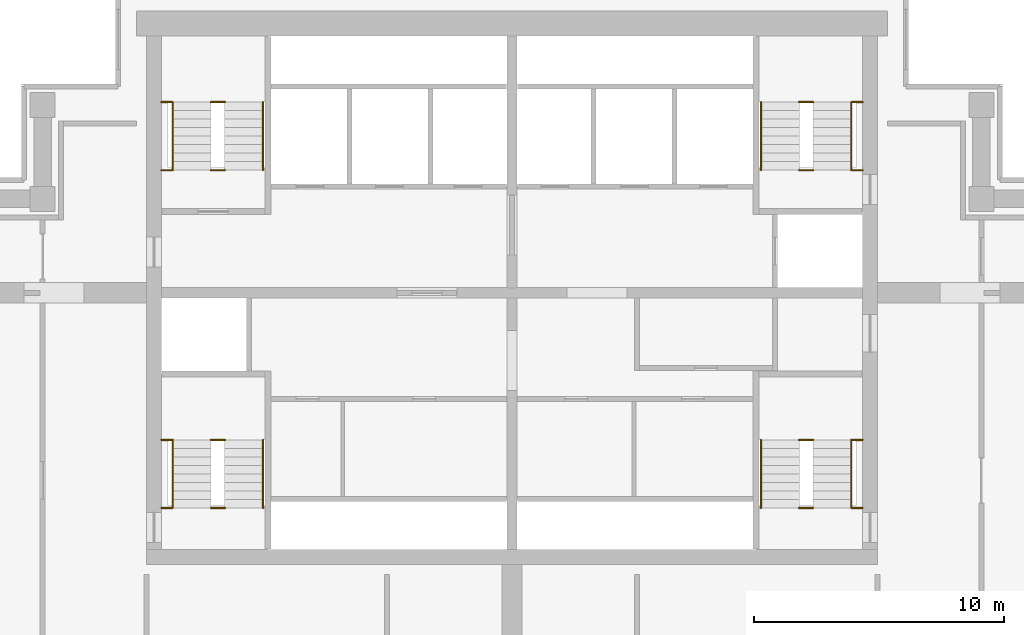
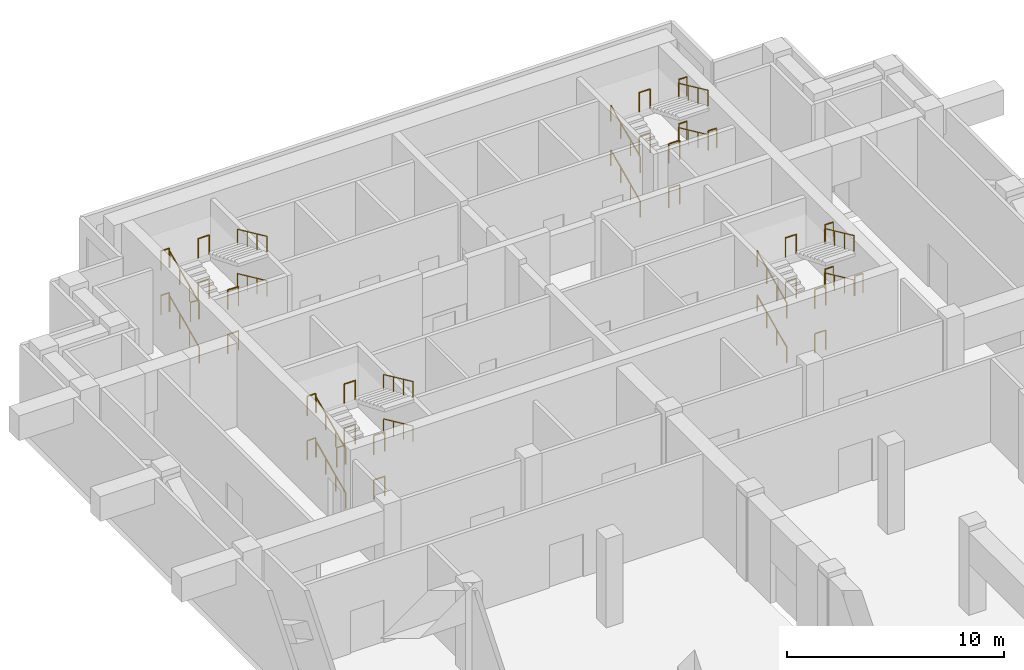
# One storey, part 6 of 6: 44 railings.
"""IFC4 building model written with IfcOpenShell, lengths in metres."""

from ifc_helpers import new_model, si_unit, direction, frame, origin, origin_2d, place, context, subcontext, project, spatial, circle, extrude, material, type_object, element, save


model = new_model("IFC4")

# Units and contexts
model_context = context("Model", 3, precision=1e-05, world=origin(), true_north=direction((0.0, 1.0)))
body_context = subcontext(model_context, "Body", "Model", "MODEL_VIEW")
ifc_project = project(units=[si_unit("LENGTHUNIT", "METRE"), si_unit("AREAUNIT", "SQUARE_METRE"), si_unit("VOLUMEUNIT", "CUBIC_METRE"), si_unit("PLANEANGLEUNIT", "RADIAN"), si_unit("MASSUNIT", "GRAM", prefix="KILO")], contexts=[model_context])

# Site, building, storey
site_placement = place(None, origin())
site = spatial("IfcSite", under=ifc_project, at=site_placement, CompositionType="ELEMENT")
building_placement = place(site_placement, origin())
building = spatial("IfcBuilding", under=site, at=building_placement, Name="Pilkhan Gate Tower", CompositionType="ELEMENT")
storey_placement = place(building_placement, frame((0.0, 0.0, 183.699951171875)))
storey = spatial("IfcBuildingStorey", under=building, at=storey_placement, Name="L47", CompositionType="ELEMENT", Elevation=183.699951171875)

# Railings
ifc_material_1 = material(Name="Black powder-coated steel tube", Category="steel")
railing_type_1 = type_object("IfcRailingType", Name="Stair handrail HR1", PredefinedType="HANDRAIL", material=ifc_material_1)
railing_1_placement = place(storey_placement, frame((84.949951171875, 73.89990234375, 0.0)))
element("IfcRailing", 1, at=railing_1_placement, inside=storey, type_object=railing_type_1, Name="Stair ST1 handrail L47", PredefinedType="HANDRAIL", context=body_context, shape_type="SweptSolid", body=[
    extrude(circle(Radius=0.02392578125, at=origin_2d()), frame((0.0, 0.0, 0.8759765625), z_axis=(0.0, 0.908655102025, 0.417547488994), x_axis=(-1.0, 0.0, 0.0)), (0.0, 0.0, 1.0), 2.99365234375),
    extrude(circle(Radius=0.02099609375, at=origin_2d()), origin(), (0.0, 0.0, 1.0), 0.851806640625),
    extrude(circle(Radius=0.02099609375, at=origin_2d()), frame((0.0, 0.90673828125, 0.416748046875)), (0.0, 0.0, 1.0), 0.851806640625),
    extrude(circle(Radius=0.02099609375, at=origin_2d()), frame((0.0, 1.8134765625, 0.833251953125)), (0.0, 0.0, 1.0), 0.851806640625),
    extrude(circle(Radius=0.02099609375, at=origin_2d()), frame((0.0, 2.72021484375, 1.25)), (0.0, 0.0, 1.0), 0.851806640625),
])
railing_2_placement = place(storey_placement, frame((88.550048828125, 76.6201171875, 1.25)))
element("IfcRailing", 2, at=railing_2_placement, inside=storey, type_object=railing_type_1, Name="Stair ST1 handrail L47", PredefinedType="HANDRAIL", context=body_context, shape_type="SweptSolid", body=[
    extrude(circle(Radius=0.02392578125, at=origin_2d()), frame((0.0, 0.0, 0.8759765625), z_axis=(0.0, -0.908655102025, 0.417547488994), x_axis=(1.0, 0.0, 0.0)), (0.0, 0.0, 1.0), 2.99365234375),
    extrude(circle(Radius=0.02099609375, at=origin_2d()), origin(), (0.0, 0.0, 1.0), 0.851806640625),
    extrude(circle(Radius=0.02099609375, at=origin_2d()), frame((0.0, -0.90673828125, 0.416748046875)), (0.0, 0.0, 1.0), 0.851806640625),
    extrude(circle(Radius=0.02099609375, at=origin_2d()), frame((0.0, -1.8134765625, 0.833251953125)), (0.0, 0.0, 1.0), 0.851806640625),
    extrude(circle(Radius=0.02099609375, at=origin_2d()), frame((0.0, -2.72021484375, 1.25)), (0.0, 0.0, 1.0), 0.851806640625),
])
railing_3_placement = place(storey_placement, frame((84.949951171875, 73.89990234375, 2.5)))
element("IfcRailing", 3, at=railing_3_placement, inside=storey, type_object=railing_type_1, Name="Stair ST1 handrail L47", PredefinedType="HANDRAIL", context=body_context, shape_type="SweptSolid", body=[
    extrude(circle(Radius=0.02392578125, at=origin_2d()), frame((0.0, 0.0, 0.8759765625), z_axis=(0.0, 0.908655102025, 0.417547488994), x_axis=(-1.0, 0.0, 0.0)), (0.0, 0.0, 1.0), 2.99365234375),
    extrude(circle(Radius=0.02099609375, at=origin_2d()), origin(), (0.0, 0.0, 1.0), 0.851806640625),
    extrude(circle(Radius=0.02099609375, at=origin_2d()), frame((0.0, 0.90673828125, 0.416748046875)), (0.0, 0.0, 1.0), 0.851806640625),
    extrude(circle(Radius=0.02099609375, at=origin_2d()), frame((0.0, 1.8134765625, 0.833251953125)), (0.0, 0.0, 1.0), 0.851806640625),
    extrude(circle(Radius=0.02099609375, at=origin_2d()), frame((0.0, 2.72021484375, 1.25)), (0.0, 0.0, 1.0), 0.851806640625),
])
railing_4_placement = place(storey_placement, frame((88.550048828125, 76.6201171875, 3.75)))
element("IfcRailing", 4, at=railing_4_placement, inside=storey, type_object=railing_type_1, Name="Stair ST1 handrail L47", PredefinedType="HANDRAIL", context=body_context, shape_type="SweptSolid", body=[
    extrude(circle(Radius=0.02392578125, at=origin_2d()), frame((0.0, 0.0, 0.8759765625), z_axis=(0.0, -0.908655102025, 0.417547488994), x_axis=(1.0, 0.0, 0.0)), (0.0, 0.0, 1.0), 2.99365234375),
    extrude(circle(Radius=0.02099609375, at=origin_2d()), origin(), (0.0, 0.0, 1.0), 0.851806640625),
    extrude(circle(Radius=0.02099609375, at=origin_2d()), frame((0.0, -0.90673828125, 0.416748046875)), (0.0, 0.0, 1.0), 0.851806640625),
    extrude(circle(Radius=0.02099609375, at=origin_2d()), frame((0.0, -1.8134765625, 0.833251953125)), (0.0, 0.0, 1.0), 0.851806640625),
    extrude(circle(Radius=0.02099609375, at=origin_2d()), frame((0.0, -2.72021484375, 1.25)), (0.0, 0.0, 1.0), 0.851806640625),
])
railing_5_placement = place(storey_placement, frame((61.449951171875, 73.89990234375, 0.0)))
element("IfcRailing", 5, at=railing_5_placement, inside=storey, type_object=railing_type_1, Name="Stair ST2 handrail L47", PredefinedType="HANDRAIL", context=body_context, shape_type="SweptSolid", body=[
    extrude(circle(Radius=0.02392578125, at=origin_2d()), frame((0.0, 0.0, 0.8759765625), z_axis=(0.0, 0.908655102025, 0.417547488994), x_axis=(-1.0, 0.0, 0.0)), (0.0, 0.0, 1.0), 2.99365234375),
    extrude(circle(Radius=0.02099609375, at=origin_2d()), origin(), (0.0, 0.0, 1.0), 0.851806640625),
    extrude(circle(Radius=0.02099609375, at=origin_2d()), frame((0.0, 0.90673828125, 0.416748046875)), (0.0, 0.0, 1.0), 0.851806640625),
    extrude(circle(Radius=0.02099609375, at=origin_2d()), frame((0.0, 1.8134765625, 0.833251953125)), (0.0, 0.0, 1.0), 0.851806640625),
    extrude(circle(Radius=0.02099609375, at=origin_2d()), frame((0.0, 2.72021484375, 1.25)), (0.0, 0.0, 1.0), 0.851806640625),
])
railing_6_placement = place(storey_placement, frame((65.050048828125, 76.6201171875, 1.25)))
element("IfcRailing", 6, at=railing_6_placement, inside=storey, type_object=railing_type_1, Name="Stair ST2 handrail L47", PredefinedType="HANDRAIL", context=body_context, shape_type="SweptSolid", body=[
    extrude(circle(Radius=0.02392578125, at=origin_2d()), frame((0.0, 0.0, 0.8759765625), z_axis=(0.0, -0.908655102025, 0.417547488994), x_axis=(1.0, 0.0, 0.0)), (0.0, 0.0, 1.0), 2.99365234375),
    extrude(circle(Radius=0.02099609375, at=origin_2d()), origin(), (0.0, 0.0, 1.0), 0.851806640625),
    extrude(circle(Radius=0.02099609375, at=origin_2d()), frame((0.0, -0.90673828125, 0.416748046875)), (0.0, 0.0, 1.0), 0.851806640625),
    extrude(circle(Radius=0.02099609375, at=origin_2d()), frame((0.0, -1.8134765625, 0.833251953125)), (0.0, 0.0, 1.0), 0.851806640625),
    extrude(circle(Radius=0.02099609375, at=origin_2d()), frame((0.0, -2.72021484375, 1.25)), (0.0, 0.0, 1.0), 0.851806640625),
])
railing_7_placement = place(storey_placement, frame((61.449951171875, 73.89990234375, 2.5)))
element("IfcRailing", 7, at=railing_7_placement, inside=storey, type_object=railing_type_1, Name="Stair ST2 handrail L47", PredefinedType="HANDRAIL", context=body_context, shape_type="SweptSolid", body=[
    extrude(circle(Radius=0.02392578125, at=origin_2d()), frame((0.0, 0.0, 0.8759765625), z_axis=(0.0, 0.908655102025, 0.417547488994), x_axis=(-1.0, 0.0, 0.0)), (0.0, 0.0, 1.0), 2.99365234375),
    extrude(circle(Radius=0.02099609375, at=origin_2d()), origin(), (0.0, 0.0, 1.0), 0.851806640625),
    extrude(circle(Radius=0.02099609375, at=origin_2d()), frame((0.0, 0.90673828125, 0.416748046875)), (0.0, 0.0, 1.0), 0.851806640625),
    extrude(circle(Radius=0.02099609375, at=origin_2d()), frame((0.0, 1.8134765625, 0.833251953125)), (0.0, 0.0, 1.0), 0.851806640625),
    extrude(circle(Radius=0.02099609375, at=origin_2d()), frame((0.0, 2.72021484375, 1.25)), (0.0, 0.0, 1.0), 0.851806640625),
])
railing_8_placement = place(storey_placement, frame((65.050048828125, 76.6201171875, 3.75)))
element("IfcRailing", 8, at=railing_8_placement, inside=storey, type_object=railing_type_1, Name="Stair ST2 handrail L47", PredefinedType="HANDRAIL", context=body_context, shape_type="SweptSolid", body=[
    extrude(circle(Radius=0.02392578125, at=origin_2d()), frame((0.0, 0.0, 0.8759765625), z_axis=(0.0, -0.908655102025, 0.417547488994), x_axis=(1.0, 0.0, 0.0)), (0.0, 0.0, 1.0), 2.99365234375),
    extrude(circle(Radius=0.02099609375, at=origin_2d()), origin(), (0.0, 0.0, 1.0), 0.851806640625),
    extrude(circle(Radius=0.02099609375, at=origin_2d()), frame((0.0, -0.90673828125, 0.416748046875)), (0.0, 0.0, 1.0), 0.851806640625),
    extrude(circle(Radius=0.02099609375, at=origin_2d()), frame((0.0, -1.8134765625, 0.833251953125)), (0.0, 0.0, 1.0), 0.851806640625),
    extrude(circle(Radius=0.02099609375, at=origin_2d()), frame((0.0, -2.72021484375, 1.25)), (0.0, 0.0, 1.0), 0.851806640625),
])
railing_9_placement = place(storey_placement, frame((61.449951171875, 87.39990234375, 0.0)))
element("IfcRailing", 9, at=railing_9_placement, inside=storey, type_object=railing_type_1, Name="Stair ST3 handrail L47", PredefinedType="HANDRAIL", context=body_context, shape_type="SweptSolid", body=[
    extrude(circle(Radius=0.02392578125, at=origin_2d()), frame((0.0, 0.0, 0.8759765625), z_axis=(0.0, 0.908655102025, 0.417547488994), x_axis=(-1.0, 0.0, 0.0)), (0.0, 0.0, 1.0), 2.99365234375),
    extrude(circle(Radius=0.02099609375, at=origin_2d()), origin(), (0.0, 0.0, 1.0), 0.851806640625),
    extrude(circle(Radius=0.02099609375, at=origin_2d()), frame((0.0, 0.90673828125, 0.416748046875)), (0.0, 0.0, 1.0), 0.851806640625),
    extrude(circle(Radius=0.02099609375, at=origin_2d()), frame((0.0, 1.8134765625, 0.833251953125)), (0.0, 0.0, 1.0), 0.851806640625),
    extrude(circle(Radius=0.02099609375, at=origin_2d()), frame((0.0, 2.72021484375, 1.25)), (0.0, 0.0, 1.0), 0.851806640625),
])
railing_10_placement = place(storey_placement, frame((65.050048828125, 90.1201171875, 1.25)))
element("IfcRailing", 10, at=railing_10_placement, inside=storey, type_object=railing_type_1, Name="Stair ST3 handrail L47", PredefinedType="HANDRAIL", context=body_context, shape_type="SweptSolid", body=[
    extrude(circle(Radius=0.02392578125, at=origin_2d()), frame((0.0, 0.0, 0.8759765625), z_axis=(0.0, -0.908655102025, 0.417547488994), x_axis=(1.0, 0.0, 0.0)), (0.0, 0.0, 1.0), 2.99365234375),
    extrude(circle(Radius=0.02099609375, at=origin_2d()), origin(), (0.0, 0.0, 1.0), 0.851806640625),
    extrude(circle(Radius=0.02099609375, at=origin_2d()), frame((0.0, -0.90673828125, 0.416748046875)), (0.0, 0.0, 1.0), 0.851806640625),
    extrude(circle(Radius=0.02099609375, at=origin_2d()), frame((0.0, -1.8134765625, 0.833251953125)), (0.0, 0.0, 1.0), 0.851806640625),
    extrude(circle(Radius=0.02099609375, at=origin_2d()), frame((0.0, -2.72021484375, 1.25)), (0.0, 0.0, 1.0), 0.851806640625),
])
railing_11_placement = place(storey_placement, frame((61.449951171875, 87.39990234375, 2.5)))
element("IfcRailing", 11, at=railing_11_placement, inside=storey, type_object=railing_type_1, Name="Stair ST3 handrail L47", PredefinedType="HANDRAIL", context=body_context, shape_type="SweptSolid", body=[
    extrude(circle(Radius=0.02392578125, at=origin_2d()), frame((0.0, 0.0, 0.8759765625), z_axis=(0.0, 0.908655102025, 0.417547488994), x_axis=(-1.0, 0.0, 0.0)), (0.0, 0.0, 1.0), 2.99365234375),
    extrude(circle(Radius=0.02099609375, at=origin_2d()), origin(), (0.0, 0.0, 1.0), 0.851806640625),
    extrude(circle(Radius=0.02099609375, at=origin_2d()), frame((0.0, 0.90673828125, 0.416748046875)), (0.0, 0.0, 1.0), 0.851806640625),
    extrude(circle(Radius=0.02099609375, at=origin_2d()), frame((0.0, 1.8134765625, 0.833251953125)), (0.0, 0.0, 1.0), 0.851806640625),
    extrude(circle(Radius=0.02099609375, at=origin_2d()), frame((0.0, 2.72021484375, 1.25)), (0.0, 0.0, 1.0), 0.851806640625),
])
railing_12_placement = place(storey_placement, frame((65.050048828125, 90.1201171875, 3.75)))
element("IfcRailing", 12, at=railing_12_placement, inside=storey, type_object=railing_type_1, Name="Stair ST3 handrail L47", PredefinedType="HANDRAIL", context=body_context, shape_type="SweptSolid", body=[
    extrude(circle(Radius=0.02392578125, at=origin_2d()), frame((0.0, 0.0, 0.8759765625), z_axis=(0.0, -0.908655102025, 0.417547488994), x_axis=(1.0, 0.0, 0.0)), (0.0, 0.0, 1.0), 2.99365234375),
    extrude(circle(Radius=0.02099609375, at=origin_2d()), origin(), (0.0, 0.0, 1.0), 0.851806640625),
    extrude(circle(Radius=0.02099609375, at=origin_2d()), frame((0.0, -0.90673828125, 0.416748046875)), (0.0, 0.0, 1.0), 0.851806640625),
    extrude(circle(Radius=0.02099609375, at=origin_2d()), frame((0.0, -1.8134765625, 0.833251953125)), (0.0, 0.0, 1.0), 0.851806640625),
    extrude(circle(Radius=0.02099609375, at=origin_2d()), frame((0.0, -2.72021484375, 1.25)), (0.0, 0.0, 1.0), 0.851806640625),
])
railing_13_placement = place(storey_placement, frame((84.949951171875, 87.39990234375, 0.0)))
element("IfcRailing", 13, at=railing_13_placement, inside=storey, type_object=railing_type_1, Name="Stair ST4 handrail L47", PredefinedType="HANDRAIL", context=body_context, shape_type="SweptSolid", body=[
    extrude(circle(Radius=0.02392578125, at=origin_2d()), frame((0.0, 0.0, 0.8759765625), z_axis=(0.0, 0.908655102025, 0.417547488994), x_axis=(-1.0, 0.0, 0.0)), (0.0, 0.0, 1.0), 2.99365234375),
    extrude(circle(Radius=0.02099609375, at=origin_2d()), origin(), (0.0, 0.0, 1.0), 0.851806640625),
    extrude(circle(Radius=0.02099609375, at=origin_2d()), frame((0.0, 0.90673828125, 0.416748046875)), (0.0, 0.0, 1.0), 0.851806640625),
    extrude(circle(Radius=0.02099609375, at=origin_2d()), frame((0.0, 1.8134765625, 0.833251953125)), (0.0, 0.0, 1.0), 0.851806640625),
    extrude(circle(Radius=0.02099609375, at=origin_2d()), frame((0.0, 2.72021484375, 1.25)), (0.0, 0.0, 1.0), 0.851806640625),
])
railing_14_placement = place(storey_placement, frame((88.550048828125, 90.1201171875, 1.25)))
element("IfcRailing", 14, at=railing_14_placement, inside=storey, type_object=railing_type_1, Name="Stair ST4 handrail L47", PredefinedType="HANDRAIL", context=body_context, shape_type="SweptSolid", body=[
    extrude(circle(Radius=0.02392578125, at=origin_2d()), frame((0.0, 0.0, 0.8759765625), z_axis=(0.0, -0.908655102025, 0.417547488994), x_axis=(1.0, 0.0, 0.0)), (0.0, 0.0, 1.0), 2.99365234375),
    extrude(circle(Radius=0.02099609375, at=origin_2d()), origin(), (0.0, 0.0, 1.0), 0.851806640625),
    extrude(circle(Radius=0.02099609375, at=origin_2d()), frame((0.0, -0.90673828125, 0.416748046875)), (0.0, 0.0, 1.0), 0.851806640625),
    extrude(circle(Radius=0.02099609375, at=origin_2d()), frame((0.0, -1.8134765625, 0.833251953125)), (0.0, 0.0, 1.0), 0.851806640625),
    extrude(circle(Radius=0.02099609375, at=origin_2d()), frame((0.0, -2.72021484375, 1.25)), (0.0, 0.0, 1.0), 0.851806640625),
])
railing_15_placement = place(storey_placement, frame((84.949951171875, 87.39990234375, 2.5)))
element("IfcRailing", 15, at=railing_15_placement, inside=storey, type_object=railing_type_1, Name="Stair ST4 handrail L47", PredefinedType="HANDRAIL", context=body_context, shape_type="SweptSolid", body=[
    extrude(circle(Radius=0.02392578125, at=origin_2d()), frame((0.0, 0.0, 0.8759765625), z_axis=(0.0, 0.908655102025, 0.417547488994), x_axis=(-1.0, 0.0, 0.0)), (0.0, 0.0, 1.0), 2.99365234375),
    extrude(circle(Radius=0.02099609375, at=origin_2d()), origin(), (0.0, 0.0, 1.0), 0.851806640625),
    extrude(circle(Radius=0.02099609375, at=origin_2d()), frame((0.0, 0.90673828125, 0.416748046875)), (0.0, 0.0, 1.0), 0.851806640625),
    extrude(circle(Radius=0.02099609375, at=origin_2d()), frame((0.0, 1.8134765625, 0.833251953125)), (0.0, 0.0, 1.0), 0.851806640625),
    extrude(circle(Radius=0.02099609375, at=origin_2d()), frame((0.0, 2.72021484375, 1.25)), (0.0, 0.0, 1.0), 0.851806640625),
])
railing_16_placement = place(storey_placement, frame((88.550048828125, 90.1201171875, 3.75)))
element("IfcRailing", 16, at=railing_16_placement, inside=storey, type_object=railing_type_1, Name="Stair ST4 handrail L47", PredefinedType="HANDRAIL", context=body_context, shape_type="SweptSolid", body=[
    extrude(circle(Radius=0.02392578125, at=origin_2d()), frame((0.0, 0.0, 0.8759765625), z_axis=(0.0, -0.908655102025, 0.417547488994), x_axis=(1.0, 0.0, 0.0)), (0.0, 0.0, 1.0), 2.99365234375),
    extrude(circle(Radius=0.02099609375, at=origin_2d()), origin(), (0.0, 0.0, 1.0), 0.851806640625),
    extrude(circle(Radius=0.02099609375, at=origin_2d()), frame((0.0, -0.90673828125, 0.416748046875)), (0.0, 0.0, 1.0), 0.851806640625),
    extrude(circle(Radius=0.02099609375, at=origin_2d()), frame((0.0, -1.8134765625, 0.833251953125)), (0.0, 0.0, 1.0), 0.851806640625),
    extrude(circle(Radius=0.02099609375, at=origin_2d()), frame((0.0, -2.72021484375, 1.25)), (0.0, 0.0, 1.0), 0.851806640625),
])
ifc_material_2 = material(Name="Black powder-coated steel balusters", Category="steel")
railing_type_2 = type_object("IfcRailingType", Name="Stair well guard G3", PredefinedType="GUARDRAIL", material=ifc_material_2)
for number, where, name in (
    (17, (88.580078125, 76.6201171875, 1.25), "Stair ST1 well guard L47"),
    (18, (88.580078125, 73.89990234375, 2.5), "Stair ST1 well guard L47"),
    (19, (88.580078125, 76.6201171875, 3.75), "Stair ST1 well guard L47"),
):
    element("IfcRailing", number, at=place(storey_placement, frame(where)), inside=storey, type_object=railing_type_2, Name=name, PredefinedType="GUARDRAIL", context=body_context, shape_type="SweptSolid", body=[
        extrude(circle(Radius=0.02392578125, at=origin_2d()), frame((0.0, 0.0, 1.076171875), z_axis=(1.0, 0.0, 0.0), x_axis=(0.0, 1.0, 0.0)), (0.0, 0.0, 1.0), 0.43994140625),
        extrude(circle(Radius=0.02099609375, at=origin_2d()), origin(), (0.0, 0.0, 1.0), 1.052001953125),
        extrude(circle(Radius=0.02099609375, at=origin_2d()), frame((0.43994140625, 0.0, 0.0)), (0.0, 0.0, 1.0), 1.052001953125),
    ])
for number, where, name in (
    (20, (86.4599609375, 73.89990234375, 0.0), "Stair ST1 well guard L47"),
    (21, (86.4599609375, 76.6201171875, 1.25), "Stair ST1 well guard L47"),
    (22, (86.4599609375, 73.89990234375, 2.5), "Stair ST1 well guard L47"),
    (23, (86.4599609375, 76.6201171875, 3.75), "Stair ST1 well guard L47"),
):
    element("IfcRailing", number, at=place(storey_placement, frame(where)), inside=storey, type_object=railing_type_2, Name=name, PredefinedType="GUARDRAIL", context=body_context, shape_type="SweptSolid", body=[
        extrude(circle(Radius=0.02392578125, at=origin_2d()), frame((0.0, 0.0, 1.076171875), z_axis=(1.0, 0.0, 0.0), x_axis=(0.0, 1.0, 0.0)), (0.0, 0.0, 1.0), 0.580078125),
        extrude(circle(Radius=0.02099609375, at=origin_2d()), origin(), (0.0, 0.0, 1.0), 1.052001953125),
        extrude(circle(Radius=0.02099609375, at=origin_2d()), frame((0.580078125, 0.0, 0.0)), (0.0, 0.0, 1.0), 1.052001953125),
    ])
for number, where, name in (
    (24, (60.97998046875, 76.6201171875, 1.25), "Stair ST2 well guard L47"),
    (25, (60.97998046875, 73.89990234375, 2.5), "Stair ST2 well guard L47"),
    (26, (60.97998046875, 76.6201171875, 3.75), "Stair ST2 well guard L47"),
):
    element("IfcRailing", number, at=place(storey_placement, frame(where)), inside=storey, type_object=railing_type_2, Name=name, PredefinedType="GUARDRAIL", context=body_context, shape_type="SweptSolid", body=[
        extrude(circle(Radius=0.02392578125, at=origin_2d()), frame((0.0, 0.0, 1.076171875), z_axis=(1.0, 0.0, 0.0), x_axis=(0.0, 1.0, 0.0)), (0.0, 0.0, 1.0), 0.43994140625),
        extrude(circle(Radius=0.02099609375, at=origin_2d()), origin(), (0.0, 0.0, 1.0), 1.052001953125),
        extrude(circle(Radius=0.02099609375, at=origin_2d()), frame((0.43994140625, 0.0, 0.0)), (0.0, 0.0, 1.0), 1.052001953125),
    ])
for number, where, name in (
    (27, (62.9599609375, 73.89990234375, 0.0), "Stair ST2 well guard L47"),
    (28, (62.9599609375, 76.6201171875, 1.25), "Stair ST2 well guard L47"),
    (29, (62.9599609375, 73.89990234375, 2.5), "Stair ST2 well guard L47"),
    (30, (62.9599609375, 76.6201171875, 3.75), "Stair ST2 well guard L47"),
):
    element("IfcRailing", number, at=place(storey_placement, frame(where)), inside=storey, type_object=railing_type_2, Name=name, PredefinedType="GUARDRAIL", context=body_context, shape_type="SweptSolid", body=[
        extrude(circle(Radius=0.02392578125, at=origin_2d()), frame((0.0, 0.0, 1.076171875), z_axis=(1.0, 0.0, 0.0), x_axis=(0.0, 1.0, 0.0)), (0.0, 0.0, 1.0), 0.580078125),
        extrude(circle(Radius=0.02099609375, at=origin_2d()), origin(), (0.0, 0.0, 1.0), 1.052001953125),
        extrude(circle(Radius=0.02099609375, at=origin_2d()), frame((0.580078125, 0.0, 0.0)), (0.0, 0.0, 1.0), 1.052001953125),
    ])
for number, where, name in (
    (31, (60.97998046875, 90.1201171875, 1.25), "Stair ST3 well guard L47"),
    (32, (60.97998046875, 87.39990234375, 2.5), "Stair ST3 well guard L47"),
    (33, (60.97998046875, 90.1201171875, 3.75), "Stair ST3 well guard L47"),
):
    element("IfcRailing", number, at=place(storey_placement, frame(where)), inside=storey, type_object=railing_type_2, Name=name, PredefinedType="GUARDRAIL", context=body_context, shape_type="SweptSolid", body=[
        extrude(circle(Radius=0.02392578125, at=origin_2d()), frame((0.0, 0.0, 1.076171875), z_axis=(1.0, 0.0, 0.0), x_axis=(0.0, 1.0, 0.0)), (0.0, 0.0, 1.0), 0.43994140625),
        extrude(circle(Radius=0.02099609375, at=origin_2d()), origin(), (0.0, 0.0, 1.0), 1.052001953125),
        extrude(circle(Radius=0.02099609375, at=origin_2d()), frame((0.43994140625, 0.0, 0.0)), (0.0, 0.0, 1.0), 1.052001953125),
    ])
for number, where, name in (
    (34, (62.9599609375, 87.39990234375, 0.0), "Stair ST3 well guard L47"),
    (35, (62.9599609375, 90.1201171875, 1.25), "Stair ST3 well guard L47"),
    (36, (62.9599609375, 87.39990234375, 2.5), "Stair ST3 well guard L47"),
    (37, (62.9599609375, 90.1201171875, 3.75), "Stair ST3 well guard L47"),
):
    element("IfcRailing", number, at=place(storey_placement, frame(where)), inside=storey, type_object=railing_type_2, Name=name, PredefinedType="GUARDRAIL", context=body_context, shape_type="SweptSolid", body=[
        extrude(circle(Radius=0.02392578125, at=origin_2d()), frame((0.0, 0.0, 1.076171875), z_axis=(1.0, 0.0, 0.0), x_axis=(0.0, 1.0, 0.0)), (0.0, 0.0, 1.0), 0.580078125),
        extrude(circle(Radius=0.02099609375, at=origin_2d()), origin(), (0.0, 0.0, 1.0), 1.052001953125),
        extrude(circle(Radius=0.02099609375, at=origin_2d()), frame((0.580078125, 0.0, 0.0)), (0.0, 0.0, 1.0), 1.052001953125),
    ])
for number, where, name in (
    (38, (88.580078125, 90.1201171875, 1.25), "Stair ST4 well guard L47"),
    (39, (88.580078125, 87.39990234375, 2.5), "Stair ST4 well guard L47"),
    (40, (88.580078125, 90.1201171875, 3.75), "Stair ST4 well guard L47"),
):
    element("IfcRailing", number, at=place(storey_placement, frame(where)), inside=storey, type_object=railing_type_2, Name=name, PredefinedType="GUARDRAIL", context=body_context, shape_type="SweptSolid", body=[
        extrude(circle(Radius=0.02392578125, at=origin_2d()), frame((0.0, 0.0, 1.076171875), z_axis=(1.0, 0.0, 0.0), x_axis=(0.0, 1.0, 0.0)), (0.0, 0.0, 1.0), 0.43994140625),
        extrude(circle(Radius=0.02099609375, at=origin_2d()), origin(), (0.0, 0.0, 1.0), 1.052001953125),
        extrude(circle(Radius=0.02099609375, at=origin_2d()), frame((0.43994140625, 0.0, 0.0)), (0.0, 0.0, 1.0), 1.052001953125),
    ])
for number, where, name in (
    (41, (86.4599609375, 87.39990234375, 0.0), "Stair ST4 well guard L47"),
    (42, (86.4599609375, 90.1201171875, 1.25), "Stair ST4 well guard L47"),
    (43, (86.4599609375, 87.39990234375, 2.5), "Stair ST4 well guard L47"),
    (44, (86.4599609375, 90.1201171875, 3.75), "Stair ST4 well guard L47"),
):
    element("IfcRailing", number, at=place(storey_placement, frame(where)), inside=storey, type_object=railing_type_2, Name=name, PredefinedType="GUARDRAIL", context=body_context, shape_type="SweptSolid", body=[
        extrude(circle(Radius=0.02392578125, at=origin_2d()), frame((0.0, 0.0, 1.076171875), z_axis=(1.0, 0.0, 0.0), x_axis=(0.0, 1.0, 0.0)), (0.0, 0.0, 1.0), 0.580078125),
        extrude(circle(Radius=0.02099609375, at=origin_2d()), origin(), (0.0, 0.0, 1.0), 1.052001953125),
        extrude(circle(Radius=0.02099609375, at=origin_2d()), frame((0.580078125, 0.0, 0.0)), (0.0, 0.0, 1.0), 1.052001953125),
    ])

save(model, "model.ifc")
